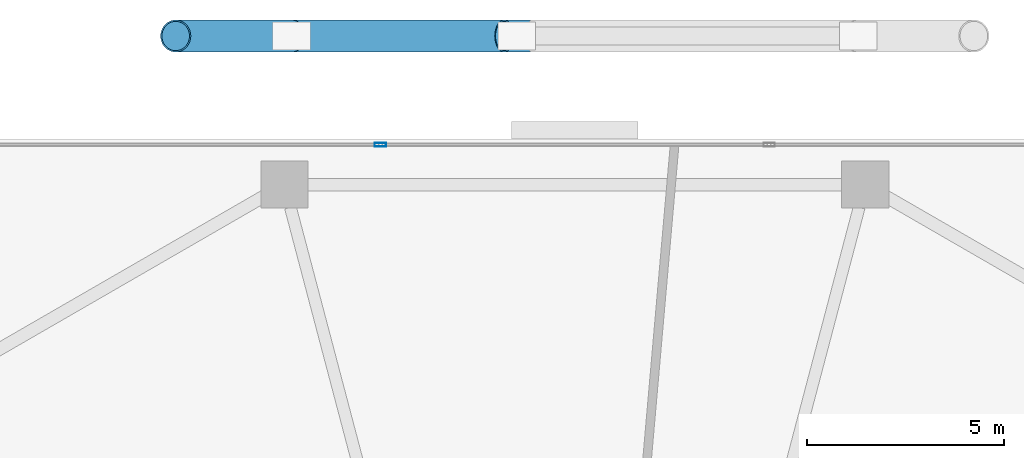
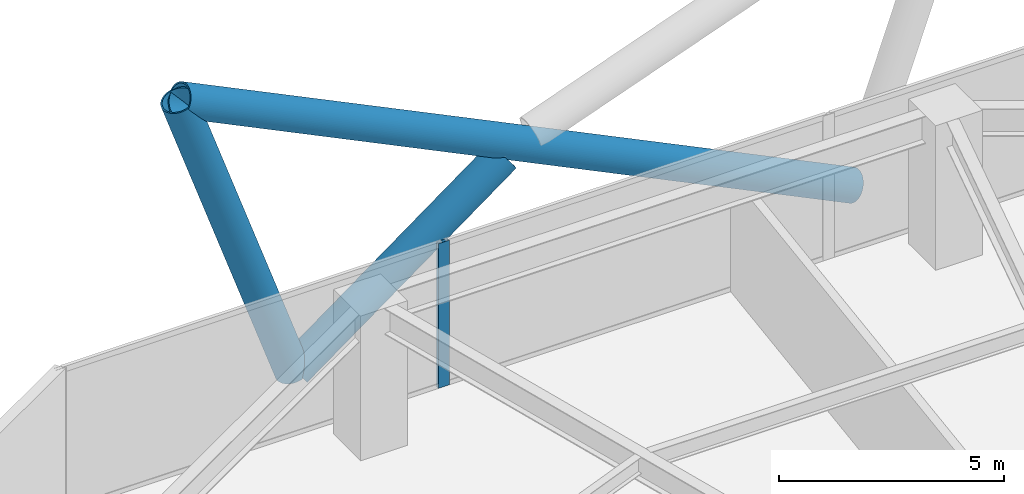
# One storey, part 17 of 30: 4 members, 1 element without a shape of its own.
"""IFC4 building model written with IfcOpenShell, lengths in metres."""

from ifc_helpers import new_model, si_unit, direction, frame, origin, origin_2d, place, context, subcontext, project, spatial, hollow_rectangle, hollow_circle, extrude, material, material_profile, profile_set, type_object, element, aggregate, save


model = new_model("IFC4")

# Units and contexts
model_context = context("Model", 3, precision=1e-05, world=origin(), true_north=direction((0.0, 1.0)))
body_context = subcontext(model_context, "Body", "Model", "MODEL_VIEW")
ifc_project = project(units=[si_unit("LENGTHUNIT", "METRE"), si_unit("AREAUNIT", "SQUARE_METRE"), si_unit("VOLUMEUNIT", "CUBIC_METRE"), si_unit("PLANEANGLEUNIT", "RADIAN"), si_unit("MASSUNIT", "GRAM", prefix="KILO")], contexts=[model_context])

# Site, building, storey
site_placement = place(None, origin())
site = spatial("IfcSite", under=ifc_project, at=site_placement, CompositionType="ELEMENT")
building_placement = place(site_placement, origin())
building = spatial("IfcBuilding", under=site, at=building_placement, Name="Zuhravey Tower", CompositionType="ELEMENT")
storey_placement = place(building_placement, frame((0.0, 0.0, 16.199951171875)))
storey = spatial("IfcBuildingStorey", under=building, at=storey_placement, Name="L04", CompositionType="ELEMENT", Elevation=16.199951171875)

# Curtain wall, member
ifc_material_1 = material(Name="Thermally broken anodised aluminium", Category="aluminium")
curtain_wall_type = type_object("IfcCurtainWallType", Name="School Low-E Unitised Curtain Wall CW1", PredefinedType="NOTDEFINED", material=ifc_material_1)
curtain_wall_placement = place(storey_placement, origin())
curtain_wall = element("IfcCurtainWall", 1, at=curtain_wall_placement, inside=storey, type_object=curtain_wall_type, Name="L04 CW1 CW-L04-F2-1", PredefinedType="NOTDEFINED")
ifc_material_2 = material(Name="Anodised aluminium", Category="aluminium")
ifc_material_profile_1 = material_profile(ifc_material_2, hollow_rectangle(XDim=0.090087890625, YDim=0.284912109375, WallThickness=0.0048828125, at=origin_2d()), Name="ALU-RHS-90x285x5")
ifc_profile_set_1 = profile_set([ifc_material_profile_1], Name="Anodised aluminium")
member_type_1 = type_object("IfcMemberType", Name="Curtain-Wall Mullion 90x180", PredefinedType="MULLION", material=ifc_profile_set_1)
member_1_placement = place(storey_placement, frame((31.06689453125, 60.95849609375, 0.0), z_axis=(0.0, 0.0, 1.0), x_axis=(0.0, 1.0, 0.0)))
member_1 = element("IfcMember", 2, at=member_1_placement, type_object=member_type_1, Name="CW1 mullion 2", PredefinedType="MULLION", context=body_context, shape_type="SweptSolid", body=[
    extrude(hollow_rectangle(XDim=0.090087890625, YDim=0.284912109375, WallThickness=0.0048828125, at=origin_2d()), origin(), (0.0, 0.0, 1.0), 3.920166015625),
])
aggregate(curtain_wall, [member_1])

# Members
ifc_material_3 = material(Name="Steel SM460", Category="steel")
ifc_material_profile_2 = material_profile(ifc_material_3, hollow_circle(Radius=0.406494140625, WallThickness=0.035888671875, at=origin_2d()), Name="CHS-812.8x36")
ifc_profile_set_2 = profile_set([ifc_material_profile_2], Name="Steel SM460")
member_type_2 = type_object("IfcMemberType", Name="Exoskeleton Zone 1 Diagrid CHS813x36", PredefinedType="BRACE", material=ifc_profile_set_2)
member_2_placement = place(storey_placement, frame((43.1484375, 63.718505859375, -0.471923828125), z_axis=(-0.899869583891, 0.0, 0.436159067299), x_axis=(0.0, -1.0, 0.0)))
element("IfcMember", 3, at=member_2_placement, inside=storey, type_object=member_type_2, Name="L04 Face 2 Diagrid Brace 2", PredefinedType="BRACE", context=body_context, shape_type="SweptSolid", body=[
    extrude(hollow_circle(Radius=0.406494140625, WallThickness=0.035888671875, at=origin_2d()), origin(), (0.0, 0.0, 1.0), 19.157958984375),
])
member_3_placement = place(storey_placement, frame((28.79833984375, 63.718505859375, -0.471923828125), z_axis=(-0.330642732694, 0.0, 0.943755997764), x_axis=(0.0, -1.0, 0.0)))
element("IfcMember", 4, at=member_3_placement, inside=storey, type_object=member_type_2, Name="L04 Face 2 Diagrid Brace 4", PredefinedType="BRACE", context=body_context, shape_type="SweptSolid", body=[
    extrude(hollow_circle(Radius=0.406494140625, WallThickness=0.035888671875, at=origin_2d()), origin(), (0.0, 0.0, 1.0), 8.85400390625),
])
member_4_placement = place(storey_placement, frame((28.8466796875, 63.718505859375, -0.464111328125), z_axis=(0.806163372301, 0.0, 0.59169300922), x_axis=(0.0, 1.0, 0.0)))
element("IfcMember", 5, at=member_4_placement, inside=storey, type_object=member_type_2, Name="L04 Face 2 Split Diagrid Brace 3A", PredefinedType="BRACE", context=body_context, shape_type="SweptSolid", body=[
    extrude(hollow_circle(Radius=0.406494140625, WallThickness=0.035888671875, at=origin_2d()), origin(), (0.0, 0.0, 1.0), 6.6513671875),
])

save(model, "model.ifc")
